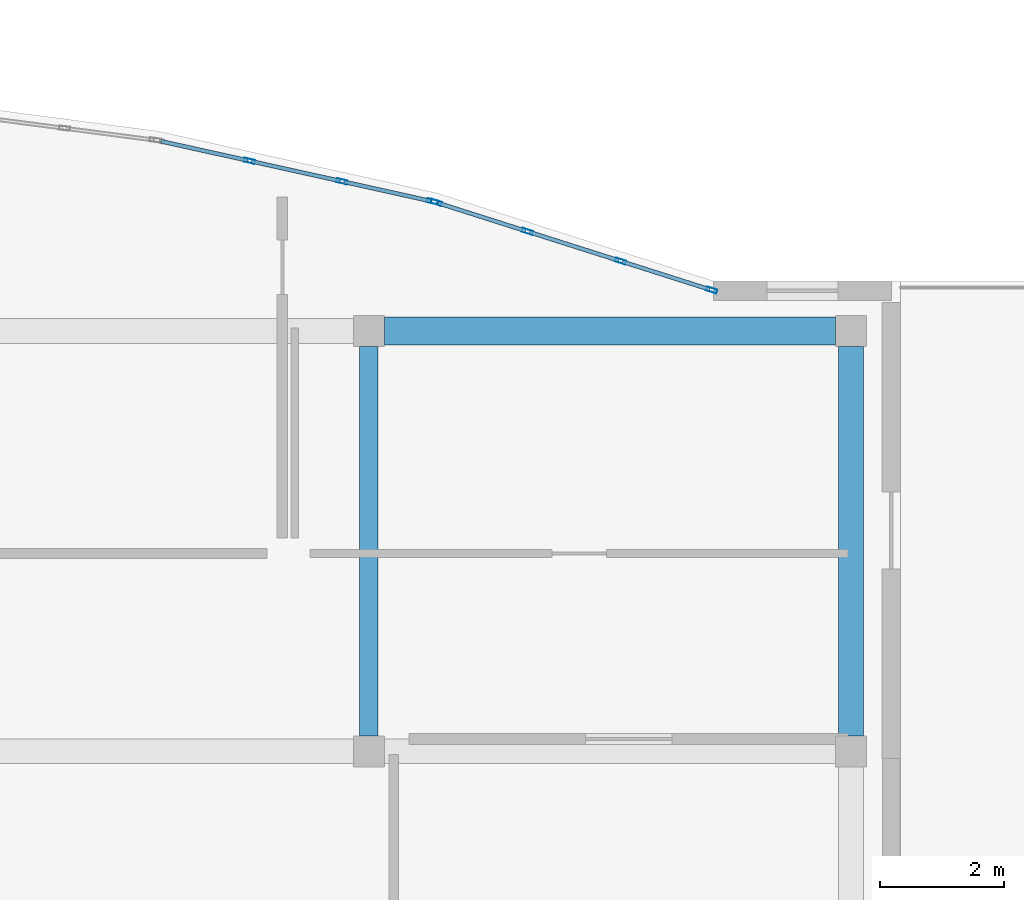
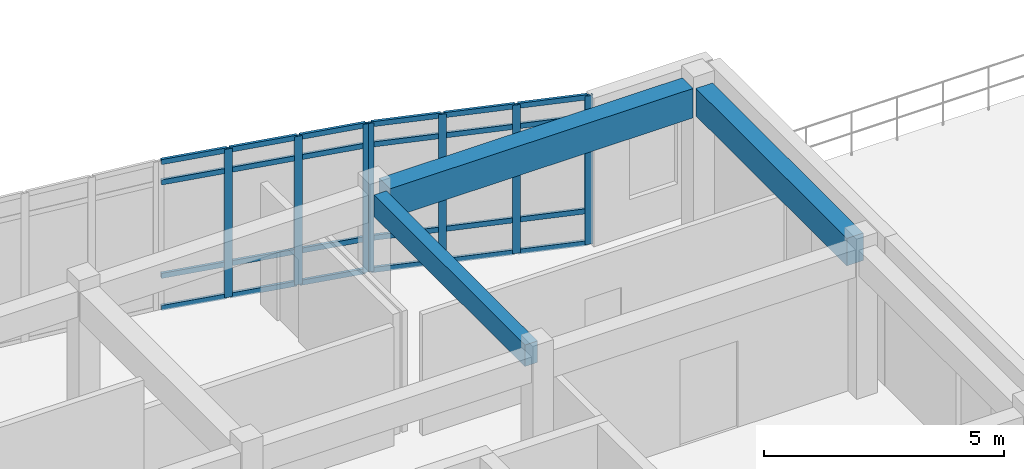
# One storey, part 41 of 91: 31 members, 3 beams, 2 elements without a shape of their own.
"""IFC4 building model written with IfcOpenShell, lengths in metres."""

from ifc_helpers import new_model, si_unit, direction, frame, origin, origin_2d, place, context, subcontext, project, spatial, rectangle, hollow_rectangle, extrude, material, layer, layer_set, material_profile, profile_set, type_object, element, aggregate, save


model = new_model("IFC4")

# Units and contexts
model_context = context("Model", 3, precision=1e-05, world=origin(), true_north=direction((0.0, 1.0)))
body_context = subcontext(model_context, "Body", "Model", "MODEL_VIEW")
ifc_project = project(units=[si_unit("LENGTHUNIT", "METRE"), si_unit("AREAUNIT", "SQUARE_METRE"), si_unit("VOLUMEUNIT", "CUBIC_METRE"), si_unit("PLANEANGLEUNIT", "RADIAN"), si_unit("MASSUNIT", "GRAM", prefix="KILO")], contexts=[model_context])

# Site, building, storey
site_placement = place(None, origin())
site = spatial("IfcSite", under=ifc_project, at=site_placement, CompositionType="ELEMENT")
building_placement = place(site_placement, origin())
building = spatial("IfcBuilding", under=site, at=building_placement, Name="Valcora Specialist Clinic", CompositionType="ELEMENT")
storey_placement = place(building_placement, frame((0.0, 0.0, 13.60009765625)))
storey = spatial("IfcBuildingStorey", under=building, at=storey_placement, Name="L03", CompositionType="ELEMENT", Elevation=13.60009765625)

# Beams
ifc_material_1 = material(Name="Concrete C40/50", Category="concrete")
ifc_material_profile_1 = material_profile(ifc_material_1, rectangle(XDim=0.300048828125, YDim=0.550048828125, at=origin_2d()), Name="RC-BM-300X550")
ifc_profile_set_1 = profile_set([ifc_material_profile_1], Name="Concrete C40/50")
beam_type_1 = type_object("IfcBeamType", Name="TY-BM-RC300X550", PredefinedType="BEAM", material=ifc_profile_set_1)
beam_1_placement = place(storey_placement, frame((99.39990234375, 15.449951171875, 3.5048828125), z_axis=(0.0, 1.0, 0.0), x_axis=(-1.0, 0.0, 0.0)))
element("IfcBeam", 1, at=beam_1_placement, inside=storey, type_object=beam_type_1, Name="Beam BM-L03-1463", PredefinedType="BEAM", context=body_context, shape_type="SweptSolid", body=[
    extrude(rectangle(XDim=0.300048828125, YDim=0.550048828125, at=origin_2d()), origin(), (0.0, 0.0, 1.0), 6.300048828125),
])
ifc_material_profile_2 = material_profile(ifc_material_1, rectangle(XDim=0.39990234375, YDim=0.699951171875, at=origin_2d()), Name="RC-BM-400X700")
ifc_profile_set_2 = profile_set([ifc_material_profile_2], Name="Concrete C40/50")
beam_type_2 = type_object("IfcBeamType", Name="TY-BM-RC400X700", PredefinedType="BEAM", material=ifc_profile_set_2)
beam_2_placement = place(storey_placement, frame((107.199951171875, 15.449951171875, 3.429931640625), z_axis=(0.0, 1.0, 0.0), x_axis=(-1.0, 0.0, 0.0)))
element("IfcBeam", 2, at=beam_2_placement, inside=storey, type_object=beam_type_2, Name="Beam BM-L03-1466", PredefinedType="BEAM", context=body_context, shape_type="SweptSolid", body=[
    extrude(rectangle(XDim=0.39990234375, YDim=0.699951171875, at=origin_2d()), origin(), (0.0, 0.0, 1.0), 6.300048828125),
])
ifc_material_profile_3 = material_profile(ifc_material_1, rectangle(XDim=0.449951171875, YDim=0.75, at=origin_2d()), Name="RC-BM-450X750")
ifc_profile_set_3 = profile_set([ifc_material_profile_3], Name="Concrete C40/50")
beam_type_3 = type_object("IfcBeamType", Name="TY-BM-RC450X750", PredefinedType="BEAM", material=ifc_profile_set_3)
beam_3_placement = place(storey_placement, frame((99.64990234375, 22.0, 3.40478515625), z_axis=(1.0, 0.0, 0.0), x_axis=(0.0, 1.0, 0.0)))
element("IfcBeam", 3, at=beam_3_placement, inside=storey, type_object=beam_type_3, Name="Beam BM-L03-1445", PredefinedType="BEAM", context=body_context, shape_type="SweptSolid", body=[
    extrude(rectangle(XDim=0.449951171875, YDim=0.75, at=origin_2d()), origin(), (0.0, 0.0, 1.0), 7.300048828125),
])

# Curtain wall, members
ifc_material_2 = material(Name="Anodized Bronze Aluminium 6063-T6", Category="aluminium")
ifc_layer = layer(ifc_material_2, 0.175048828125)
ifc_layer_set = layer_set([ifc_layer], Name="Anodized Bronze Aluminium 6063-T6")
curtain_wall_type = type_object("IfcCurtainWallType", Name="TY-CW-ARC40", PredefinedType="NOTDEFINED", material=ifc_layer_set)
curtain_wall_1_placement = place(storey_placement, origin())
curtain_wall_1 = element("IfcCurtainWall", 4, at=curtain_wall_1_placement, inside=storey, type_object=curtain_wall_type, Name="Curtain wall CW-L03-216", PredefinedType="NOTDEFINED")
ifc_material_profile_4 = material_profile(ifc_material_2, hollow_rectangle(XDim=0.06494140625, YDim=0.175048828125, WallThickness=0.00390625, at=origin_2d()), Name="AL-MUL-65X175")
ifc_profile_set_4 = profile_set([ifc_material_profile_4], Name="Anodized Bronze Aluminium 6063-T6")
member_type_1 = type_object("IfcMemberType", Name="TY-CWM-65X175", PredefinedType="MULLION", material=ifc_profile_set_4)
member_1_placement = place(storey_placement, frame((97.4697265625, 24.75048828125, 0.0), z_axis=(0.0, 0.0, 1.0), x_axis=(0.216518052372, 0.976278614432, 0.0)))
member_1 = element("IfcMember", 5, at=member_1_placement, type_object=member_type_1, Name="CW-ARC-40 mullion 2", PredefinedType="MULLION", context=body_context, shape_type="SweptSolid", body=[
    extrude(hollow_rectangle(XDim=0.06494140625, YDim=0.175048828125, WallThickness=0.00390625, at=origin_2d()), origin(), (0.0, 0.0, 1.0), 3.77978515625),
])
member_2_placement = place(storey_placement, frame((98.96533203125, 24.418701171875, 0.0), z_axis=(0.0, 0.0, 1.0), x_axis=(0.216518052372, 0.976278614432, 0.0)))
member_2 = element("IfcMember", 6, at=member_2_placement, type_object=member_type_1, Name="CW-ARC-40 mullion 3", PredefinedType="MULLION", context=body_context, shape_type="SweptSolid", body=[
    extrude(hollow_rectangle(XDim=0.06494140625, YDim=0.175048828125, WallThickness=0.00390625, at=origin_2d()), origin(), (0.0, 0.0, 1.0), 3.77978515625),
])
member_3_placement = place(storey_placement, frame((100.42919921875, 24.093994140625, 0.0), z_axis=(0.0, 0.0, 1.0), x_axis=(0.216518052372, 0.976278614432, 0.0)))
member_3 = element("IfcMember", 7, at=member_3_placement, type_object=member_type_1, Name="CW-ARC-40 mullion 4", PredefinedType="MULLION", context=body_context, shape_type="SweptSolid", body=[
    extrude(hollow_rectangle(XDim=0.06494140625, YDim=0.175048828125, WallThickness=0.00390625, at=origin_2d()), origin(), (0.0, 0.0, 1.0), 3.77978515625),
])

curtain_wall_2_placement = place(storey_placement, origin())
curtain_wall_2 = element("IfcCurtainWall", 8, at=curtain_wall_2_placement, inside=storey, type_object=curtain_wall_type, Name="Curtain wall CW-L03-217", PredefinedType="NOTDEFINED")
member_4_placement = place(storey_placement, frame((100.491943359375, 24.0771484375, 0.0), z_axis=(0.0, 0.0, 1.0), x_axis=(0.303233270958, 0.952916356972, 0.0)))
member_4 = element("IfcMember", 9, at=member_4_placement, type_object=member_type_1, Name="CW-ARC-40 mullion 1", PredefinedType="MULLION", context=body_context, shape_type="SweptSolid", body=[
    extrude(hollow_rectangle(XDim=0.06494140625, YDim=0.175048828125, WallThickness=0.00390625, at=origin_2d()), origin(), (0.0, 0.0, 1.0), 3.77978515625),
])
member_5_placement = place(storey_placement, frame((101.966064453125, 23.60791015625, 0.0), z_axis=(0.0, 0.0, 1.0), x_axis=(0.303233270958, 0.952916356972, 0.0)))
member_5 = element("IfcMember", 10, at=member_5_placement, type_object=member_type_1, Name="CW-ARC-40 mullion 2", PredefinedType="MULLION", context=body_context, shape_type="SweptSolid", body=[
    extrude(hollow_rectangle(XDim=0.06494140625, YDim=0.175048828125, WallThickness=0.00390625, at=origin_2d()), origin(), (0.0, 0.0, 1.0), 3.77978515625),
])
member_6_placement = place(storey_placement, frame((103.471435546875, 23.12890625, 0.0), z_axis=(0.0, 0.0, 1.0), x_axis=(0.303233270958, 0.952916356972, 0.0)))
member_6 = element("IfcMember", 11, at=member_6_placement, type_object=member_type_1, Name="CW-ARC-40 mullion 3", PredefinedType="MULLION", context=body_context, shape_type="SweptSolid", body=[
    extrude(hollow_rectangle(XDim=0.06494140625, YDim=0.175048828125, WallThickness=0.00390625, at=origin_2d()), origin(), (0.0, 0.0, 1.0), 3.77978515625),
])
member_7_placement = place(storey_placement, frame((104.94580078125, 22.659912109375, 0.0), z_axis=(0.0, 0.0, 1.0), x_axis=(0.303233270958, 0.952916356972, 0.0)))
member_7 = element("IfcMember", 12, at=member_7_placement, type_object=member_type_1, Name="CW-ARC-40 mullion 4", PredefinedType="MULLION", context=body_context, shape_type="SweptSolid", body=[
    extrude(hollow_rectangle(XDim=0.06494140625, YDim=0.175048828125, WallThickness=0.00390625, at=origin_2d()), origin(), (0.0, 0.0, 1.0), 3.77978515625),
])

# Member
ifc_material_profile_5 = material_profile(ifc_material_2, hollow_rectangle(XDim=0.06494140625, YDim=0.1298828125, WallThickness=0.00390625, at=origin_2d()), Name="AL-TRN-65X130")
ifc_profile_set_5 = profile_set([ifc_material_profile_5], Name="Anodized Bronze Aluminium 6063-T6")
member_type_2 = type_object("IfcMemberType", Name="TY-CWT-65X130", PredefinedType="USERDEFINED", material=ifc_profile_set_5)
member_8_placement = place(storey_placement, frame((96.037353515625, 25.068115234375, 0.032470703125), z_axis=(0.976255079417, -0.216624144343, 0.0), x_axis=(0.216624144343, 0.976255079417, 0.0)))
member_8 = element("IfcMember", 13, at=member_8_placement, type_object=member_type_2, Name="CW-ARC-40 transom 1.1", ObjectType="TRANSOM", PredefinedType="USERDEFINED", context=body_context, shape_type="SweptSolid", body=[
    extrude(hollow_rectangle(XDim=0.06494140625, YDim=0.1298828125, WallThickness=0.00390625, at=origin_2d()), origin(), (0.0, 0.0, 1.0), 1.434814453125),
])

member_9_placement = place(storey_placement, frame((96.037353515625, 25.068115234375, 0.849853515625), z_axis=(0.976255079417, -0.216624144343, 0.0), x_axis=(0.216624144343, 0.976255079417, 0.0)))
member_9 = element("IfcMember", 14, at=member_9_placement, type_object=member_type_2, Name="CW-ARC-40 transom 1.2", ObjectType="TRANSOM", PredefinedType="USERDEFINED", context=body_context, shape_type="SweptSolid", body=[
    extrude(hollow_rectangle(XDim=0.06494140625, YDim=0.1298828125, WallThickness=0.00390625, at=origin_2d()), origin(), (0.0, 0.0, 1.0), 1.434814453125),
])

member_10_placement = place(storey_placement, frame((96.037353515625, 25.068115234375, 3.22998046875), z_axis=(0.976255079417, -0.216624144343, 0.0), x_axis=(0.216624144343, 0.976255079417, 0.0)))
member_10 = element("IfcMember", 15, at=member_10_placement, type_object=member_type_2, Name="CW-ARC-40 transom 1.3", ObjectType="TRANSOM", PredefinedType="USERDEFINED", context=body_context, shape_type="SweptSolid", body=[
    extrude(hollow_rectangle(XDim=0.06494140625, YDim=0.1298828125, WallThickness=0.00390625, at=origin_2d()), origin(), (0.0, 0.0, 1.0), 1.434814453125),
])

member_11_placement = place(storey_placement, frame((96.037353515625, 25.068115234375, 3.747314453125), z_axis=(0.976255079417, -0.216624144343, 0.0), x_axis=(0.216624144343, 0.976255079417, 0.0)))
member_11 = element("IfcMember", 16, at=member_11_placement, type_object=member_type_2, Name="CW-ARC-40 transom 1.4", ObjectType="TRANSOM", PredefinedType="USERDEFINED", context=body_context, shape_type="SweptSolid", body=[
    extrude(hollow_rectangle(XDim=0.06494140625, YDim=0.1298828125, WallThickness=0.00390625, at=origin_2d()), origin(), (0.0, 0.0, 1.0), 1.434814453125),
])

member_12_placement = place(storey_placement, frame((97.50146484375, 24.743408203125, 0.032470703125), z_axis=(0.976277043921, -0.216525133676, 0.0), x_axis=(0.216525133676, 0.976277043921, 0.0)))
member_12 = element("IfcMember", 17, at=member_12_placement, type_object=member_type_2, Name="CW-ARC-40 transom 2.1", ObjectType="TRANSOM", PredefinedType="USERDEFINED", context=body_context, shape_type="SweptSolid", body=[
    extrude(hollow_rectangle(XDim=0.06494140625, YDim=0.1298828125, WallThickness=0.00390625, at=origin_2d()), origin(), (0.0, 0.0, 1.0), 1.467041015625),
])

member_13_placement = place(storey_placement, frame((97.50146484375, 24.743408203125, 0.849853515625), z_axis=(0.976277043921, -0.216525133676, 0.0), x_axis=(0.216525133676, 0.976277043921, 0.0)))
member_13 = element("IfcMember", 18, at=member_13_placement, type_object=member_type_2, Name="CW-ARC-40 transom 2.2", ObjectType="TRANSOM", PredefinedType="USERDEFINED", context=body_context, shape_type="SweptSolid", body=[
    extrude(hollow_rectangle(XDim=0.06494140625, YDim=0.1298828125, WallThickness=0.00390625, at=origin_2d()), origin(), (0.0, 0.0, 1.0), 1.467041015625),
])

member_14_placement = place(storey_placement, frame((97.50146484375, 24.743408203125, 3.22998046875), z_axis=(0.976277043921, -0.216525133676, 0.0), x_axis=(0.216525133676, 0.976277043921, 0.0)))
member_14 = element("IfcMember", 19, at=member_14_placement, type_object=member_type_2, Name="CW-ARC-40 transom 2.3", ObjectType="TRANSOM", PredefinedType="USERDEFINED", context=body_context, shape_type="SweptSolid", body=[
    extrude(hollow_rectangle(XDim=0.06494140625, YDim=0.1298828125, WallThickness=0.00390625, at=origin_2d()), origin(), (0.0, 0.0, 1.0), 1.467041015625),
])

member_15_placement = place(storey_placement, frame((97.50146484375, 24.743408203125, 3.747314453125), z_axis=(0.976277043921, -0.216525133676, 0.0), x_axis=(0.216525133676, 0.976277043921, 0.0)))
member_15 = element("IfcMember", 20, at=member_15_placement, type_object=member_type_2, Name="CW-ARC-40 transom 2.4", ObjectType="TRANSOM", PredefinedType="USERDEFINED", context=body_context, shape_type="SweptSolid", body=[
    extrude(hollow_rectangle(XDim=0.06494140625, YDim=0.1298828125, WallThickness=0.00390625, at=origin_2d()), origin(), (0.0, 0.0, 1.0), 1.467041015625),
])

member_16_placement = place(storey_placement, frame((98.9970703125, 24.41162109375, 0.032470703125), z_axis=(0.976283078872, -0.216497921256, 0.0), x_axis=(0.216497921256, 0.976283078872, 0.0)))
member_16 = element("IfcMember", 21, at=member_16_placement, type_object=member_type_2, Name="CW-ARC-40 transom 3.1", ObjectType="TRANSOM", PredefinedType="USERDEFINED", context=body_context, shape_type="SweptSolid", body=[
    extrude(hollow_rectangle(XDim=0.06494140625, YDim=0.1298828125, WallThickness=0.00390625, at=origin_2d()), origin(), (0.0, 0.0, 1.0), 1.434326171875),
])

member_17_placement = place(storey_placement, frame((98.9970703125, 24.41162109375, 0.849853515625), z_axis=(0.976283078872, -0.216497921256, 0.0), x_axis=(0.216497921256, 0.976283078872, 0.0)))
member_17 = element("IfcMember", 22, at=member_17_placement, type_object=member_type_2, Name="CW-ARC-40 transom 3.2", ObjectType="TRANSOM", PredefinedType="USERDEFINED", context=body_context, shape_type="SweptSolid", body=[
    extrude(hollow_rectangle(XDim=0.06494140625, YDim=0.1298828125, WallThickness=0.00390625, at=origin_2d()), origin(), (0.0, 0.0, 1.0), 1.434326171875),
])

member_18_placement = place(storey_placement, frame((98.9970703125, 24.41162109375, 3.22998046875), z_axis=(0.976283078872, -0.216497921256, 0.0), x_axis=(0.216497921256, 0.976283078872, 0.0)))
member_18 = element("IfcMember", 23, at=member_18_placement, type_object=member_type_2, Name="CW-ARC-40 transom 3.3", ObjectType="TRANSOM", PredefinedType="USERDEFINED", context=body_context, shape_type="SweptSolid", body=[
    extrude(hollow_rectangle(XDim=0.06494140625, YDim=0.1298828125, WallThickness=0.00390625, at=origin_2d()), origin(), (0.0, 0.0, 1.0), 1.434326171875),
])

member_19_placement = place(storey_placement, frame((98.9970703125, 24.41162109375, 3.747314453125), z_axis=(0.976283078872, -0.216497921256, 0.0), x_axis=(0.216497921256, 0.976283078872, 0.0)))
member_19 = element("IfcMember", 24, at=member_19_placement, type_object=member_type_2, Name="CW-ARC-40 transom 3.4", ObjectType="TRANSOM", PredefinedType="USERDEFINED", context=body_context, shape_type="SweptSolid", body=[
    extrude(hollow_rectangle(XDim=0.06494140625, YDim=0.1298828125, WallThickness=0.00390625, at=origin_2d()), origin(), (0.0, 0.0, 1.0), 1.434326171875),
])

aggregate(curtain_wall_1, [member_1, member_2, member_3, member_8, member_9, member_10, member_11, member_12, member_13, member_14, member_15, member_16, member_17, member_18, member_19])

member_20_placement = place(storey_placement, frame((100.52294921875, 24.0673828125, 0.032470703125), z_axis=(0.952910635624, -0.303251249816, 0.0), x_axis=(0.303251249816, 0.952910635624, 0.0)))
member_20 = element("IfcMember", 25, at=member_20_placement, type_object=member_type_2, Name="CW-ARC-40 transom 1.1", ObjectType="TRANSOM", PredefinedType="USERDEFINED", context=body_context, shape_type="SweptSolid", body=[
    extrude(hollow_rectangle(XDim=0.06494140625, YDim=0.1298828125, WallThickness=0.00390625, at=origin_2d()), origin(), (0.0, 0.0, 1.0), 1.482177734375),
])

member_21_placement = place(storey_placement, frame((100.52294921875, 24.0673828125, 0.849853515625), z_axis=(0.952910635624, -0.303251249816, 0.0), x_axis=(0.303251249816, 0.952910635624, 0.0)))
member_21 = element("IfcMember", 26, at=member_21_placement, type_object=member_type_2, Name="CW-ARC-40 transom 1.2", ObjectType="TRANSOM", PredefinedType="USERDEFINED", context=body_context, shape_type="SweptSolid", body=[
    extrude(hollow_rectangle(XDim=0.06494140625, YDim=0.1298828125, WallThickness=0.00390625, at=origin_2d()), origin(), (0.0, 0.0, 1.0), 1.482177734375),
])

member_22_placement = place(storey_placement, frame((100.52294921875, 24.0673828125, 3.22998046875), z_axis=(0.952910635624, -0.303251249816, 0.0), x_axis=(0.303251249816, 0.952910635624, 0.0)))
member_22 = element("IfcMember", 27, at=member_22_placement, type_object=member_type_2, Name="CW-ARC-40 transom 1.3", ObjectType="TRANSOM", PredefinedType="USERDEFINED", context=body_context, shape_type="SweptSolid", body=[
    extrude(hollow_rectangle(XDim=0.06494140625, YDim=0.1298828125, WallThickness=0.00390625, at=origin_2d()), origin(), (0.0, 0.0, 1.0), 1.482177734375),
])

member_23_placement = place(storey_placement, frame((100.52294921875, 24.0673828125, 3.747314453125), z_axis=(0.952910635624, -0.303251249816, 0.0), x_axis=(0.303251249816, 0.952910635624, 0.0)))
member_23 = element("IfcMember", 28, at=member_23_placement, type_object=member_type_2, Name="CW-ARC-40 transom 1.4", ObjectType="TRANSOM", PredefinedType="USERDEFINED", context=body_context, shape_type="SweptSolid", body=[
    extrude(hollow_rectangle(XDim=0.06494140625, YDim=0.1298828125, WallThickness=0.00390625, at=origin_2d()), origin(), (0.0, 0.0, 1.0), 1.482177734375),
])

member_24_placement = place(storey_placement, frame((101.9970703125, 23.59814453125, 0.032470703125), z_axis=(0.952930013692, -0.303190351109, 0.0), x_axis=(0.303190351109, 0.952930013692, 0.0)))
member_24 = element("IfcMember", 29, at=member_24_placement, type_object=member_type_2, Name="CW-ARC-40 transom 2.1", ObjectType="TRANSOM", PredefinedType="USERDEFINED", context=body_context, shape_type="SweptSolid", body=[
    extrude(hollow_rectangle(XDim=0.06494140625, YDim=0.1298828125, WallThickness=0.00390625, at=origin_2d()), origin(), (0.0, 0.0, 1.0), 1.5146484375),
])

member_25_placement = place(storey_placement, frame((101.9970703125, 23.59814453125, 0.849853515625), z_axis=(0.952930013692, -0.303190351109, 0.0), x_axis=(0.303190351109, 0.952930013692, 0.0)))
member_25 = element("IfcMember", 30, at=member_25_placement, type_object=member_type_2, Name="CW-ARC-40 transom 2.2", ObjectType="TRANSOM", PredefinedType="USERDEFINED", context=body_context, shape_type="SweptSolid", body=[
    extrude(hollow_rectangle(XDim=0.06494140625, YDim=0.1298828125, WallThickness=0.00390625, at=origin_2d()), origin(), (0.0, 0.0, 1.0), 1.5146484375),
])

member_26_placement = place(storey_placement, frame((101.9970703125, 23.59814453125, 3.22998046875), z_axis=(0.952930013692, -0.303190351109, 0.0), x_axis=(0.303190351109, 0.952930013692, 0.0)))
member_26 = element("IfcMember", 31, at=member_26_placement, type_object=member_type_2, Name="CW-ARC-40 transom 2.3", ObjectType="TRANSOM", PredefinedType="USERDEFINED", context=body_context, shape_type="SweptSolid", body=[
    extrude(hollow_rectangle(XDim=0.06494140625, YDim=0.1298828125, WallThickness=0.00390625, at=origin_2d()), origin(), (0.0, 0.0, 1.0), 1.5146484375),
])

member_27_placement = place(storey_placement, frame((101.9970703125, 23.59814453125, 3.747314453125), z_axis=(0.952930013692, -0.303190351109, 0.0), x_axis=(0.303190351109, 0.952930013692, 0.0)))
member_27 = element("IfcMember", 32, at=member_27_placement, type_object=member_type_2, Name="CW-ARC-40 transom 2.4", ObjectType="TRANSOM", PredefinedType="USERDEFINED", context=body_context, shape_type="SweptSolid", body=[
    extrude(hollow_rectangle(XDim=0.06494140625, YDim=0.1298828125, WallThickness=0.00390625, at=origin_2d()), origin(), (0.0, 0.0, 1.0), 1.5146484375),
])

member_28_placement = place(storey_placement, frame((103.50244140625, 23.119140625, 0.032470703125), z_axis=(0.952910635624, -0.303251249816, 0.0), x_axis=(0.303251249816, 0.952910635624, 0.0)))
member_28 = element("IfcMember", 33, at=member_28_placement, type_object=member_type_2, Name="CW-ARC-40 transom 3.1", ObjectType="TRANSOM", PredefinedType="USERDEFINED", context=body_context, shape_type="SweptSolid", body=[
    extrude(hollow_rectangle(XDim=0.06494140625, YDim=0.1298828125, WallThickness=0.00390625, at=origin_2d()), origin(), (0.0, 0.0, 1.0), 1.482177734375),
])

member_29_placement = place(storey_placement, frame((103.50244140625, 23.119140625, 0.849853515625), z_axis=(0.952910635624, -0.303251249816, 0.0), x_axis=(0.303251249816, 0.952910635624, 0.0)))
member_29 = element("IfcMember", 34, at=member_29_placement, type_object=member_type_2, Name="CW-ARC-40 transom 3.2", ObjectType="TRANSOM", PredefinedType="USERDEFINED", context=body_context, shape_type="SweptSolid", body=[
    extrude(hollow_rectangle(XDim=0.06494140625, YDim=0.1298828125, WallThickness=0.00390625, at=origin_2d()), origin(), (0.0, 0.0, 1.0), 1.482177734375),
])

member_30_placement = place(storey_placement, frame((103.50244140625, 23.119140625, 3.22998046875), z_axis=(0.952910635624, -0.303251249816, 0.0), x_axis=(0.303251249816, 0.952910635624, 0.0)))
member_30 = element("IfcMember", 35, at=member_30_placement, type_object=member_type_2, Name="CW-ARC-40 transom 3.3", ObjectType="TRANSOM", PredefinedType="USERDEFINED", context=body_context, shape_type="SweptSolid", body=[
    extrude(hollow_rectangle(XDim=0.06494140625, YDim=0.1298828125, WallThickness=0.00390625, at=origin_2d()), origin(), (0.0, 0.0, 1.0), 1.482177734375),
])

member_31_placement = place(storey_placement, frame((103.50244140625, 23.119140625, 3.747314453125), z_axis=(0.952910635624, -0.303251249816, 0.0), x_axis=(0.303251249816, 0.952910635624, 0.0)))
member_31 = element("IfcMember", 36, at=member_31_placement, type_object=member_type_2, Name="CW-ARC-40 transom 3.4", ObjectType="TRANSOM", PredefinedType="USERDEFINED", context=body_context, shape_type="SweptSolid", body=[
    extrude(hollow_rectangle(XDim=0.06494140625, YDim=0.1298828125, WallThickness=0.00390625, at=origin_2d()), origin(), (0.0, 0.0, 1.0), 1.482177734375),
])

aggregate(curtain_wall_2, [member_4, member_5, member_6, member_7, member_20, member_21, member_22, member_23, member_24, member_25, member_26, member_27, member_28, member_29, member_30, member_31])

save(model, "model.ifc")
